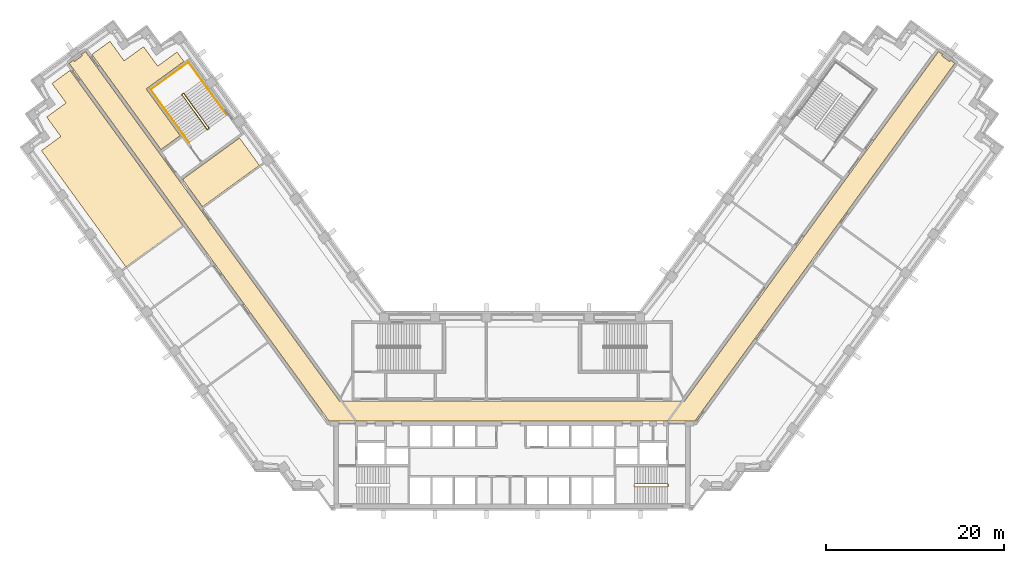
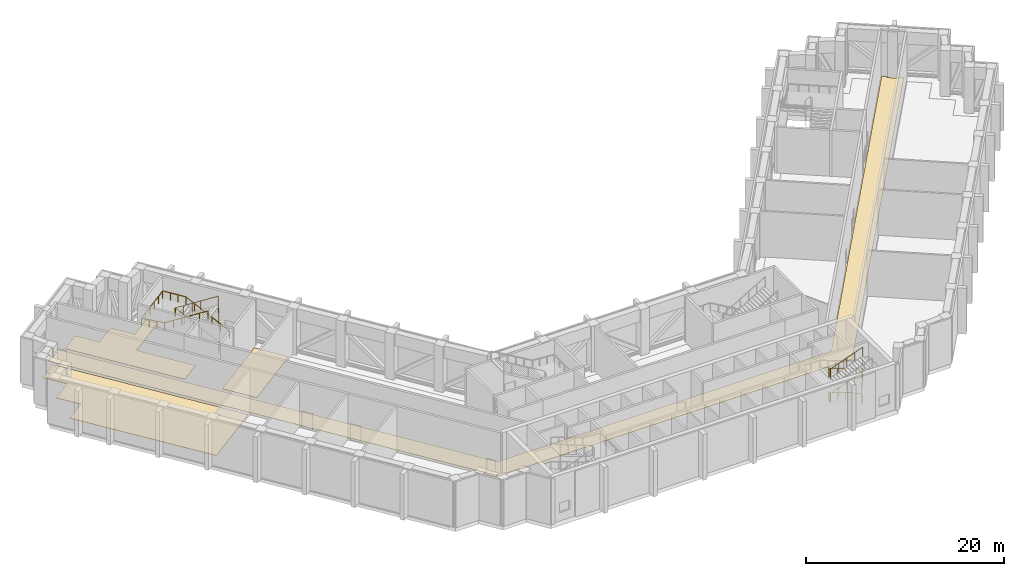
# One storey, part 18 of 19: 4 coverings, 3 railings.
"""IFC4 building model written with IfcOpenShell, lengths in metres."""

from ifc_helpers import new_model, si_unit, direction, frame, origin, origin_2d, place, context, subcontext, project, spatial, polyline, circle, outline, extrude, material, layer, layer_set, type_object, element, save


model = new_model("IFC4")

# Units and contexts
model_context = context("Model", 3, precision=1e-05, world=origin(), true_north=direction((0.0, 1.0)))
body_context = subcontext(model_context, "Body", "Model", "MODEL_VIEW")
ifc_project = project(units=[si_unit("LENGTHUNIT", "METRE"), si_unit("AREAUNIT", "SQUARE_METRE"), si_unit("VOLUMEUNIT", "CUBIC_METRE"), si_unit("PLANEANGLEUNIT", "RADIAN"), si_unit("MASSUNIT", "GRAM", prefix="KILO")], contexts=[model_context])

# Site, building, storey
site_placement = place(None, origin())
site = spatial("IfcSite", under=ifc_project, at=site_placement, CompositionType="ELEMENT")
building_placement = place(site_placement, origin())
building = spatial("IfcBuilding", under=site, at=building_placement, Name="Quipu Civic Tower", CompositionType="ELEMENT")
storey_placement = place(building_placement, frame((0.0, 0.0, 25.0)))
storey = spatial("IfcBuildingStorey", under=building, at=storey_placement, Name="L05", CompositionType="ELEMENT", Elevation=25.0)

# Coverings
ifc_material_1 = material(Name="Sealed cement screed")
ifc_layer_1 = layer(ifc_material_1, 0.050048828125)
ifc_layer_set_1 = layer_set([ifc_layer_1], Name="Sealed cement screed")
covering_type_1 = type_object("IfcCoveringType", Name="Sealed screed floor finish 50", PredefinedType="FLOORING", material=ifc_layer_set_1)
covering_1_placement = place(storey_placement, origin())
element("IfcCovering", 1, at=covering_1_placement, inside=storey, type_object=covering_type_1, Name="Sealed screed floor finish 50", PredefinedType="FLOORING", context=body_context, shape_type="SweptSolid", body=[
    extrude(outline(polyline([(-52.9208984375, 29.27001953125), (-50.738037109375, 30.85498046875), (-52.323974609375, 33.041015625), (-50.14111328125, 34.6279296875), (-51.72705078125, 36.81201171875), (-49.696044921875, 38.287109375), (-37.02099609375, 20.841064453125), (-43.4208984375, 16.19189453125), (-52.9208984375, 29.27001953125)])), origin(), (0.0, 0.0, 1.0), 0.050048828125),
])
covering_2_placement = place(storey_placement, origin())
element("IfcCovering", 2, at=covering_2_placement, inside=storey, type_object=covering_type_1, Name="Sealed screed floor finish 50", PredefinedType="FLOORING", context=body_context, shape_type="SweptSolid", body=[
    extrude(outline(polyline([(-47.237060546875, 40.074951171875), (-45.2060546875, 41.549072265625), (-43.617919921875, 39.365966796875), (-41.43408203125, 40.951904296875), (-39.846923828125, 38.76806640625), (-37.6630859375, 40.35498046875), (-36.89404296875, 39.294921875), (-41.139892578125, 36.2080078125), (-37.320068359375, 30.949951171875), (-39.472900390625, 29.386962890625), (-47.237060546875, 40.074951171875)])), origin(), (0.0, 0.0, 1.0), 0.050048828125),
])
covering_3_placement = place(storey_placement, origin())
element("IfcCovering", 3, at=covering_3_placement, inside=storey, type_object=covering_type_1, Name="Sealed screed floor finish 50", PredefinedType="FLOORING", context=body_context, shape_type="SweptSolid", body=[
    extrude(outline(polyline([(-37.0380859375, 26.0380859375), (-30.638916015625, 30.68701171875), (-28.403076171875, 27.60791015625), (-34.802978515625, 22.958984375), (-37.0380859375, 26.0380859375)])), origin(), (0.0, 0.0, 1.0), 0.050048828125),
])

# Railings
ifc_material_2 = material(Name="Stainless steel", Category="steel")
railing_type_1 = type_object("IfcRailingType", Name="Stair guard 1100", PredefinedType="GUARDRAIL", material=ifc_material_2)
railing_1_placement = place(storey_placement, frame((17.5, -8.199951171875, 0.115478515625)))
element("IfcRailing", 4, at=railing_1_placement, inside=storey, type_object=railing_type_1, Name="Stair 2 guard", PredefinedType="GUARDRAIL", context=body_context, shape_type="SweptSolid", body=[
    extrude(circle(Radius=0.02392578125, at=origin_2d()), frame((0.0, 0.0, 1.076171875), z_axis=(-0.937193329374, 0.0, 0.348810354458), x_axis=(0.0, -1.0, 0.0)), (0.0, 0.0, 1.0), 3.96923828125),
    extrude(circle(Radius=0.02392578125, at=origin_2d()), frame((-3.719970703125, 0.0, 2.46044921875), z_axis=(-0.707106781187, -0.707106781187, 0.0), x_axis=(0.707106781187, -0.707106781187, 0.0)), (0.0, 0.0, 1.0), 0.07080078125),
    extrude(circle(Radius=0.02392578125, at=origin_2d()), frame((-3.77001953125, -0.050048828125, 2.46044921875), z_axis=(0.0, -1.0, 0.0), x_axis=(1.0, 0.0, 0.0)), (0.0, 0.0, 1.0), 0.25),
    extrude(circle(Radius=0.02392578125, at=origin_2d()), frame((-3.77001953125, -0.300048828125, 2.46044921875), z_axis=(0.3695169537, -0.3695169537, 0.852592776099), x_axis=(0.707106781187, 0.707106781187, 0.0)), (0.0, 0.0, 1.0), 0.135498046875),
    extrude(circle(Radius=0.02392578125, at=origin_2d()), frame((-3.719970703125, -0.35009765625, 2.576171875), z_axis=(0.937193329374, 0.0, 0.348810354458), x_axis=(0.0, 1.0, 0.0)), (0.0, 0.0, 1.0), 3.96923828125),
    extrude(circle(Radius=0.02392578125, at=origin_2d()), frame((0.0, -0.35009765625, 3.96044921875), z_axis=(0.164529134168, 0.986372223864, 0.0), x_axis=(-0.986372223864, 0.164529134168, 0.0)), (0.0, 0.0, 1.0), 0.30419921875),
    extrude(circle(Radius=0.02392578125, at=origin_2d()), frame((0.050048828125, -0.050048828125, 3.96044921875), z_axis=(0.0, -1.0, 0.0), x_axis=(1.0, 0.0, 0.0)), (0.0, 0.0, 1.0), 0.25),
    extrude(circle(Radius=0.02392578125, at=origin_2d()), frame((0.050048828125, -0.300048828125, 3.96044921875), z_axis=(-0.153818488509, 0.922160596963, 0.354908024706), x_axis=(-0.986372223864, -0.164529134168, 0.0)), (0.0, 0.0, 1.0), 0.325439453125),
    extrude(circle(Radius=0.02392578125, at=origin_2d()), frame((0.0, 0.0, 4.076171875), z_axis=(-0.937193329374, 0.0, 0.348810354458), x_axis=(0.0, -1.0, 0.0)), (0.0, 0.0, 1.0), 3.96923828125),
    extrude(circle(Radius=0.02392578125, at=origin_2d()), frame((-3.719970703125, 0.0, 5.46044921875), z_axis=(-0.707106781187, -0.707106781187, 0.0), x_axis=(0.707106781187, -0.707106781187, 0.0)), (0.0, 0.0, 1.0), 0.07080078125),
    extrude(circle(Radius=0.02392578125, at=origin_2d()), frame((-3.77001953125, -0.050048828125, 5.46044921875), z_axis=(0.0, -1.0, 0.0), x_axis=(1.0, 0.0, 0.0)), (0.0, 0.0, 1.0), 0.25),
    extrude(circle(Radius=0.02392578125, at=origin_2d()), frame((-3.77001953125, -0.300048828125, 5.46044921875), z_axis=(0.3695169537, -0.3695169537, 0.852592776099), x_axis=(0.707106781187, 0.707106781187, 0.0)), (0.0, 0.0, 1.0), 0.135498046875),
    extrude(circle(Radius=0.02392578125, at=origin_2d()), frame((-3.719970703125, -0.35009765625, 5.576171875), z_axis=(0.937193329374, 0.0, 0.348810354458), x_axis=(0.0, 1.0, 0.0)), (0.0, 0.0, 1.0), 3.96923828125),
    extrude(circle(Radius=0.02392578125, at=origin_2d()), frame((0.0, -0.35009765625, 6.96044921875), z_axis=(0.008330771543, 0.049943991347, -0.998717275296), x_axis=(-0.986372223864, 0.164529134168, 0.0)), (0.0, 0.0, 1.0), 6.0078125),
    extrude(circle(Radius=0.02392578125, at=origin_2d()), frame((0.050048828125, -0.050048828125, 0.96044921875), z_axis=(0.0, -1.0, 0.0), x_axis=(1.0, 0.0, 0.0)), (0.0, 0.0, 1.0), 0.25),
    extrude(circle(Radius=0.02099609375, at=origin_2d()), origin(), (0.0, 0.0, 1.0), 1.052001953125),
    extrude(circle(Radius=0.02099609375, at=origin_2d()), frame((-0.929931640625, 0.0, 0.34619140625)), (0.0, 0.0, 1.0), 1.052001953125),
    extrude(circle(Radius=0.02099609375, at=origin_2d()), frame((-1.85986328125, 0.0, 0.6923828125)), (0.0, 0.0, 1.0), 1.052001953125),
    extrude(circle(Radius=0.02099609375, at=origin_2d()), frame((-2.7900390625, 0.0, 1.038330078125)), (0.0, 0.0, 1.0), 1.052001953125),
    extrude(circle(Radius=0.02099609375, at=origin_2d()), frame((-3.719970703125, 0.0, 1.384521484375)), (0.0, 0.0, 1.0), 1.052001953125),
    extrude(circle(Radius=0.02099609375, at=origin_2d()), frame((-3.77001953125, -0.050048828125, 1.384521484375)), (0.0, 0.0, 1.0), 1.052001953125),
    extrude(circle(Radius=0.02099609375, at=origin_2d()), frame((-3.77001953125, -0.300048828125, 1.384521484375)), (0.0, 0.0, 1.0), 1.052001953125),
    extrude(circle(Radius=0.02099609375, at=origin_2d()), frame((-3.719970703125, -0.35009765625, 1.5)), (0.0, 0.0, 1.0), 1.052001953125),
    extrude(circle(Radius=0.02099609375, at=origin_2d()), frame((-2.7900390625, -0.35009765625, 1.84619140625)), (0.0, 0.0, 1.0), 1.052001953125),
    extrude(circle(Radius=0.02099609375, at=origin_2d()), frame((-1.85986328125, -0.35009765625, 2.1923828125)), (0.0, 0.0, 1.0), 1.052001953125),
    extrude(circle(Radius=0.02099609375, at=origin_2d()), frame((-0.929931640625, -0.35009765625, 2.538330078125)), (0.0, 0.0, 1.0), 1.052001953125),
    extrude(circle(Radius=0.02099609375, at=origin_2d()), frame((0.0, -0.35009765625, 2.884521484375)), (0.0, 0.0, 1.0), 1.052001953125),
    extrude(circle(Radius=0.02099609375, at=origin_2d()), frame((0.050048828125, -0.050048828125, 2.884521484375)), (0.0, 0.0, 1.0), 1.052001953125),
    extrude(circle(Radius=0.02099609375, at=origin_2d()), frame((0.050048828125, -0.300048828125, 2.884521484375)), (0.0, 0.0, 1.0), 1.052001953125),
    extrude(circle(Radius=0.02099609375, at=origin_2d()), frame((0.0, 0.0, 3.0)), (0.0, 0.0, 1.0), 1.052001953125),
    extrude(circle(Radius=0.02099609375, at=origin_2d()), frame((-0.929931640625, 0.0, 3.34619140625)), (0.0, 0.0, 1.0), 1.052001953125),
    extrude(circle(Radius=0.02099609375, at=origin_2d()), frame((-1.85986328125, 0.0, 3.6923828125)), (0.0, 0.0, 1.0), 1.052001953125),
    extrude(circle(Radius=0.02099609375, at=origin_2d()), frame((-2.7900390625, 0.0, 4.038330078125)), (0.0, 0.0, 1.0), 1.052001953125),
    extrude(circle(Radius=0.02099609375, at=origin_2d()), frame((-3.719970703125, 0.0, 4.384521484375)), (0.0, 0.0, 1.0), 1.052001953125),
    extrude(circle(Radius=0.02099609375, at=origin_2d()), frame((-3.77001953125, -0.050048828125, 4.384521484375)), (0.0, 0.0, 1.0), 1.052001953125),
    extrude(circle(Radius=0.02099609375, at=origin_2d()), frame((-3.77001953125, -0.300048828125, 4.384521484375)), (0.0, 0.0, 1.0), 1.052001953125),
    extrude(circle(Radius=0.02099609375, at=origin_2d()), frame((-3.719970703125, -0.35009765625, 4.5)), (0.0, 0.0, 1.0), 1.052001953125),
    extrude(circle(Radius=0.02099609375, at=origin_2d()), frame((-2.7900390625, -0.35009765625, 4.84619140625)), (0.0, 0.0, 1.0), 1.052001953125),
    extrude(circle(Radius=0.02099609375, at=origin_2d()), frame((-1.85986328125, -0.35009765625, 5.1923828125)), (0.0, 0.0, 1.0), 1.052001953125),
    extrude(circle(Radius=0.02099609375, at=origin_2d()), frame((-0.929931640625, -0.35009765625, 5.538330078125)), (0.0, 0.0, 1.0), 1.052001953125),
    extrude(circle(Radius=0.02099609375, at=origin_2d()), frame((0.0, -0.35009765625, 5.884521484375)), (0.0, 0.0, 1.0), 1.052001953125),
    extrude(circle(Radius=0.02099609375, at=origin_2d()), frame((0.00830078125, -0.300048828125, 4.884521484375)), (0.0, 0.0, 1.0), 1.052001953125),
    extrude(circle(Radius=0.02099609375, at=origin_2d()), frame((0.0166015625, -0.25, 3.884521484375)), (0.0, 0.0, 1.0), 1.052001953125),
    extrude(circle(Radius=0.02099609375, at=origin_2d()), frame((0.02490234375, -0.2001953125, 2.884521484375)), (0.0, 0.0, 1.0), 1.052001953125),
    extrude(circle(Radius=0.02099609375, at=origin_2d()), frame((0.033447265625, -0.150146484375, 1.884521484375)), (0.0, 0.0, 1.0), 1.052001953125),
    extrude(circle(Radius=0.02099609375, at=origin_2d()), frame((0.041748046875, -0.10009765625, 0.884521484375)), (0.0, 0.0, 1.0), 1.052001953125),
    extrude(circle(Radius=0.02099609375, at=origin_2d()), frame((0.050048828125, -0.050048828125, -0.115478515625)), (0.0, 0.0, 1.0), 1.052001953125),
    extrude(circle(Radius=0.02099609375, at=origin_2d()), frame((0.050048828125, -0.300048828125, -0.115478515625)), (0.0, 0.0, 1.0), 1.052001953125),
])
railing_2_placement = place(storey_placement, frame((-34.078857421875, 31.79736328125, 0.176513671875)))
element("IfcRailing", 5, at=railing_2_placement, inside=storey, type_object=railing_type_1, Name="Stair 6 guard", PredefinedType="GUARDRAIL", context=body_context, shape_type="SweptSolid", body=[
    extrude(circle(Radius=0.02392578125, at=origin_2d()), frame((0.0, 0.0, 1.076171875), z_axis=(-0.506622290629, 0.697329019968, 0.507016856276), x_axis=(-0.809026317077, -0.587772420479, 0.0)), (0.0, 0.0, 1.0), 5.56884765625),
    extrude(circle(Radius=0.02392578125, at=origin_2d()), frame((-2.8212890625, 3.88330078125, 3.8994140625), z_axis=(-0.987846838465, 0.155430446612, 0.0), x_axis=(-0.155430446612, -0.987846838465, 0.0)), (0.0, 0.0, 1.0), 0.07080078125),
    extrude(circle(Radius=0.02392578125, at=origin_2d()), frame((-2.89111328125, 3.894287109375, 3.8994140625), z_axis=(-0.809649071907, -0.586914287065, 0.0), x_axis=(0.586914287065, -0.809649071907, 0.0)), (0.0, 0.0, 1.0), 0.150146484375),
    extrude(circle(Radius=0.02392578125, at=origin_2d()), frame((-3.0126953125, 3.80615234375, 3.8994140625), z_axis=(-0.057780222547, -0.367225414408, 0.928335575584), x_axis=(0.987846838465, -0.155430446612, 0.0)), (0.0, 0.0, 1.0), 0.190185546875),
    extrude(circle(Radius=0.02392578125, at=origin_2d()), frame((-3.023681640625, 3.736328125, 4.076171875), z_axis=(0.506622290629, -0.697329019968, 0.507016856276), x_axis=(0.809026317077, 0.587772420479, 0.0)), (0.0, 0.0, 1.0), 5.56884765625),
    extrude(circle(Radius=0.02392578125, at=origin_2d()), frame((-0.202392578125, -0.14697265625, 6.8994140625), z_axis=(0.031882188822, 0.012850474066, -0.999409021048), x_axis=(-0.373837031195, 0.92749440651, 0.0)), (0.0, 0.0, 1.0), 6.003662109375),
    extrude(circle(Radius=0.02392578125, at=origin_2d()), frame((-0.010986328125, -0.06982421875, 0.8994140625), z_axis=(-0.809087927272, -0.587687609145, 0.0), x_axis=(0.587687609145, -0.809087927272, 0.0)), (0.0, 0.0, 1.0), 0.14990234375),
    extrude(circle(Radius=0.02099609375, at=origin_2d()), origin(), (0.0, 0.0, 1.0), 1.052001953125),
    extrude(circle(Radius=0.02099609375, at=origin_2d()), frame((-0.564208984375, 0.776611328125, 0.564697265625)), (0.0, 0.0, 1.0), 1.052001953125),
    extrude(circle(Radius=0.02099609375, at=origin_2d()), frame((-1.12841796875, 1.55322265625, 1.12939453125)), (0.0, 0.0, 1.0), 1.052001953125),
    extrude(circle(Radius=0.02099609375, at=origin_2d()), frame((-1.69287109375, 2.330078125, 1.694091796875)), (0.0, 0.0, 1.0), 1.052001953125),
    extrude(circle(Radius=0.02099609375, at=origin_2d()), frame((-2.257080078125, 3.106689453125, 2.2587890625)), (0.0, 0.0, 1.0), 1.052001953125),
    extrude(circle(Radius=0.02099609375, at=origin_2d()), frame((-2.8212890625, 3.88330078125, 2.823486328125)), (0.0, 0.0, 1.0), 1.052001953125),
    extrude(circle(Radius=0.02099609375, at=origin_2d()), frame((-2.89111328125, 3.894287109375, 2.823486328125)), (0.0, 0.0, 1.0), 1.052001953125),
    extrude(circle(Radius=0.02099609375, at=origin_2d()), frame((-3.0126953125, 3.80615234375, 2.823486328125)), (0.0, 0.0, 1.0), 1.052001953125),
    extrude(circle(Radius=0.02099609375, at=origin_2d()), frame((-3.023681640625, 3.736328125, 3.0)), (0.0, 0.0, 1.0), 1.052001953125),
    extrude(circle(Radius=0.02099609375, at=origin_2d()), frame((-2.45947265625, 2.959716796875, 3.564697265625)), (0.0, 0.0, 1.0), 1.052001953125),
    extrude(circle(Radius=0.02099609375, at=origin_2d()), frame((-1.895263671875, 2.18310546875, 4.12939453125)), (0.0, 0.0, 1.0), 1.052001953125),
    extrude(circle(Radius=0.02099609375, at=origin_2d()), frame((-1.330810546875, 1.40625, 4.694091796875)), (0.0, 0.0, 1.0), 1.052001953125),
    extrude(circle(Radius=0.02099609375, at=origin_2d()), frame((-0.7666015625, 0.629638671875, 5.2587890625)), (0.0, 0.0, 1.0), 1.052001953125),
    extrude(circle(Radius=0.02099609375, at=origin_2d()), frame((-0.202392578125, -0.14697265625, 5.823486328125)), (0.0, 0.0, 1.0), 1.052001953125),
    extrude(circle(Radius=0.02099609375, at=origin_2d()), frame((-0.17041015625, -0.134033203125, 4.823486328125)), (0.0, 0.0, 1.0), 1.052001953125),
    extrude(circle(Radius=0.02099609375, at=origin_2d()), frame((-0.138671875, -0.121337890625, 3.823486328125)), (0.0, 0.0, 1.0), 1.052001953125),
    extrude(circle(Radius=0.02099609375, at=origin_2d()), frame((-0.106689453125, -0.1083984375, 2.823486328125)), (0.0, 0.0, 1.0), 1.052001953125),
    extrude(circle(Radius=0.02099609375, at=origin_2d()), frame((-0.07470703125, -0.095458984375, 1.823486328125)), (0.0, 0.0, 1.0), 1.052001953125),
    extrude(circle(Radius=0.02099609375, at=origin_2d()), frame((-0.04296875, -0.082763671875, 0.823486328125)), (0.0, 0.0, 1.0), 1.052001953125),
    extrude(circle(Radius=0.02099609375, at=origin_2d()), frame((-0.010986328125, -0.06982421875, -0.176513671875)), (0.0, 0.0, 1.0), 1.052001953125),
    extrude(circle(Radius=0.02099609375, at=origin_2d()), frame((-0.13232421875, -0.157958984375, -0.176513671875)), (0.0, 0.0, 1.0), 1.052001953125),
])
ifc_material_3 = material(Name="Stainless steel", Category="steel")
railing_type_2 = type_object("IfcRailingType", Name="Stair handrail", PredefinedType="HANDRAIL", material=ifc_material_3)
railing_3_placement = place(storey_placement, frame((-32.056396484375, 33.266845703125, 0.176513671875)))
element("IfcRailing", 6, at=railing_3_placement, inside=storey, type_object=railing_type_2, Name="Stair 6 handrail", PredefinedType="HANDRAIL", context=body_context, shape_type="SweptSolid", body=[
    extrude(circle(Radius=0.02392578125, at=origin_2d()), frame((0.0, 0.0, 0.8759765625), z_axis=(-0.506622290629, 0.697329019968, 0.507016856276), x_axis=(-0.809026317077, -0.587772420479, 0.0)), (0.0, 0.0, 1.0), 5.56884765625),
    extrude(circle(Radius=0.02392578125, at=origin_2d()), frame((-2.8212890625, 3.88330078125, 3.69921875), z_axis=(-0.587767432704, 0.809029940764, 0.0), x_axis=(-0.809029940764, -0.587767432704, 0.0)), (0.0, 0.0, 1.0), 2.550048828125),
    extrude(circle(Radius=0.02392578125, at=origin_2d()), frame((-4.320068359375, 5.9462890625, 3.69921875), z_axis=(-0.809009483706, -0.587795589702, 0.0), x_axis=(0.587795589702, -0.809009483706, 0.0)), (0.0, 0.0, 1.0), 5.25),
    extrude(circle(Radius=0.02392578125, at=origin_2d()), frame((-8.5673828125, 2.8603515625, 3.69921875), z_axis=(0.586364261901, -0.80709855238, 0.069057071405), x_axis=(0.809029940764, 0.587767432704, 0.0)), (0.0, 0.0, 1.0), 2.55615234375),
    extrude(circle(Radius=0.02392578125, at=origin_2d()), frame((-7.068603515625, 0.79736328125, 3.8759765625), z_axis=(0.506622290629, -0.697329019968, 0.507016856276), x_axis=(0.809026317077, 0.587772420479, 0.0)), (0.0, 0.0, 1.0), 5.56884765625),
    extrude(circle(Radius=0.02099609375, at=origin_2d()), origin(), (0.0, 0.0, 1.0), 0.851806640625),
    extrude(circle(Radius=0.02099609375, at=origin_2d()), frame((-0.564208984375, 0.776611328125, 0.564697265625)), (0.0, 0.0, 1.0), 0.851806640625),
    extrude(circle(Radius=0.02099609375, at=origin_2d()), frame((-1.12841796875, 1.55322265625, 1.12939453125)), (0.0, 0.0, 1.0), 0.851806640625),
    extrude(circle(Radius=0.02099609375, at=origin_2d()), frame((-1.69287109375, 2.330078125, 1.694091796875)), (0.0, 0.0, 1.0), 0.851806640625),
    extrude(circle(Radius=0.02099609375, at=origin_2d()), frame((-2.257080078125, 3.106689453125, 2.2587890625)), (0.0, 0.0, 1.0), 0.851806640625),
    extrude(circle(Radius=0.02099609375, at=origin_2d()), frame((-2.8212890625, 3.88330078125, 2.823486328125)), (0.0, 0.0, 1.0), 0.851806640625),
    extrude(circle(Radius=0.02099609375, at=origin_2d()), frame((-3.32080078125, 4.571044921875, 2.823486328125)), (0.0, 0.0, 1.0), 0.851806640625),
    extrude(circle(Radius=0.02099609375, at=origin_2d()), frame((-3.820556640625, 5.258544921875, 2.823486328125)), (0.0, 0.0, 1.0), 0.851806640625),
    extrude(circle(Radius=0.02099609375, at=origin_2d()), frame((-4.320068359375, 5.9462890625, 2.823486328125)), (0.0, 0.0, 1.0), 0.851806640625),
    extrude(circle(Radius=0.02099609375, at=origin_2d()), frame((-5.16943359375, 5.3291015625, 2.823486328125)), (0.0, 0.0, 1.0), 0.851806640625),
    extrude(circle(Radius=0.02099609375, at=origin_2d()), frame((-6.01904296875, 4.7119140625, 2.823486328125)), (0.0, 0.0, 1.0), 0.851806640625),
    extrude(circle(Radius=0.02099609375, at=origin_2d()), frame((-6.868408203125, 4.0947265625, 2.823486328125)), (0.0, 0.0, 1.0), 0.851806640625),
    extrude(circle(Radius=0.02099609375, at=origin_2d()), frame((-7.718017578125, 3.4775390625, 2.823486328125)), (0.0, 0.0, 1.0), 0.851806640625),
    extrude(circle(Radius=0.02099609375, at=origin_2d()), frame((-8.5673828125, 2.8603515625, 2.823486328125)), (0.0, 0.0, 1.0), 0.851806640625),
    extrude(circle(Radius=0.02099609375, at=origin_2d()), frame((-8.06787109375, 2.172607421875, 2.88232421875)), (0.0, 0.0, 1.0), 0.851806640625),
    extrude(circle(Radius=0.02099609375, at=origin_2d()), frame((-7.568115234375, 1.485107421875, 2.941162109375)), (0.0, 0.0, 1.0), 0.851806640625),
    extrude(circle(Radius=0.02099609375, at=origin_2d()), frame((-7.068603515625, 0.79736328125, 3.0)), (0.0, 0.0, 1.0), 0.851806640625),
    extrude(circle(Radius=0.02099609375, at=origin_2d()), frame((-6.50439453125, 0.020751953125, 3.564697265625)), (0.0, 0.0, 1.0), 0.851806640625),
    extrude(circle(Radius=0.02099609375, at=origin_2d()), frame((-5.940185546875, -0.755859375, 4.12939453125)), (0.0, 0.0, 1.0), 0.851806640625),
    extrude(circle(Radius=0.02099609375, at=origin_2d()), frame((-5.375732421875, -1.53271484375, 4.694091796875)), (0.0, 0.0, 1.0), 0.851806640625),
    extrude(circle(Radius=0.02099609375, at=origin_2d()), frame((-4.8115234375, -2.309326171875, 5.2587890625)), (0.0, 0.0, 1.0), 0.851806640625),
    extrude(circle(Radius=0.02099609375, at=origin_2d()), frame((-4.247314453125, -3.0859375, 5.823486328125)), (0.0, 0.0, 1.0), 0.851806640625),
])

# Covering
ifc_material_4 = material(Name="Terrazzo floor finish")
ifc_layer_2 = layer(ifc_material_4, 0.0400390625)
ifc_layer_set_2 = layer_set([ifc_layer_2], Name="Terrazzo floor finish")
covering_type_2 = type_object("IfcCoveringType", Name="Terrazzo floor finish 40", PredefinedType="FLOORING", material=ifc_layer_set_2)
covering_4_placement = place(storey_placement, origin())
element("IfcCovering", 7, at=covering_4_placement, inside=storey, type_object=covering_type_2, Name="Terrazzo floor finish 40", PredefinedType="FLOORING", context=body_context, shape_type="SweptSolid", body=[
    extrude(outline(polyline([(47.962890625, 40.410888671875), (48.43310546875, 40.070068359375), (48.35693359375, 39.966064453125), (48.35400390625, 39.9619140625), (48.35205078125, 39.95703125), (48.35009765625, 39.952880859375), (48.34912109375, 39.947998046875), (48.347900390625, 39.943115234375), (48.346923828125, 39.93798828125), (48.346923828125, 39.93310546875), (48.347900390625, 39.927978515625), (48.34912109375, 39.924072265625), (48.35009765625, 39.9189453125), (48.35205078125, 39.9140625), (48.35498046875, 39.909912109375), (48.35791015625, 39.906005859375), (48.361083984375, 39.902099609375), (48.364013671875, 39.89892578125), (48.367919921875, 39.89599609375), (49.177001953125, 39.30810546875), (49.180908203125, 39.304931640625), (49.18505859375, 39.302978515625), (49.18994140625, 39.301025390625), (49.195068359375, 39.300048828125), (49.199951171875, 39.299072265625), (49.2041015625, 39.299072265625), (49.208984375, 39.299072265625), (49.214111328125, 39.299072265625), (49.218994140625, 39.300048828125), (49.22412109375, 39.302001953125), (49.22802734375, 39.303955078125), (49.23291015625, 39.305908203125), (49.237060546875, 39.30908203125), (49.239990234375, 39.31201171875), (49.243896484375, 39.31494140625), (49.2470703125, 39.319091796875), (49.322998046875, 39.424072265625), (49.7919921875, 39.0830078125), (20.574951171875, -1.1298828125), (-20.574951171875, -1.1298828125), (-49.7919921875, 39.0830078125), (-49.322998046875, 39.424072265625), (-49.2470703125, 39.319091796875), (-49.243896484375, 39.31494140625), (-49.239990234375, 39.31201171875), (-49.237060546875, 39.30908203125), (-49.23291015625, 39.305908203125), (-49.22802734375, 39.303955078125), (-49.22412109375, 39.302001953125), (-49.218994140625, 39.300048828125), (-49.214111328125, 39.299072265625), (-49.208984375, 39.299072265625), (-49.2041015625, 39.299072265625), (-49.199951171875, 39.299072265625), (-49.195068359375, 39.300048828125), (-49.18994140625, 39.301025390625), (-49.18505859375, 39.302978515625), (-49.180908203125, 39.304931640625), (-49.177001953125, 39.30810546875), (-48.367919921875, 39.89599609375), (-48.364013671875, 39.89892578125), (-48.361083984375, 39.902099609375), (-48.35791015625, 39.906005859375), (-48.35498046875, 39.909912109375), (-48.35205078125, 39.9140625), (-48.35009765625, 39.9189453125), (-48.34912109375, 39.924072265625), (-48.347900390625, 39.927978515625), (-48.346923828125, 39.93310546875), (-48.346923828125, 39.93798828125), (-48.347900390625, 39.943115234375), (-48.34912109375, 39.947998046875), (-48.35009765625, 39.952880859375), (-48.35205078125, 39.95703125), (-48.35400390625, 39.9619140625), (-48.35693359375, 39.966064453125), (-48.43310546875, 40.070068359375), (-47.962890625, 40.410888671875), (-19.425048828125, 1.1298828125), (19.425048828125, 1.1298828125), (47.962890625, 40.410888671875)])), origin(), (0.0, 0.0, 1.0), 0.0400390625),
])

save(model, "model.ifc")
